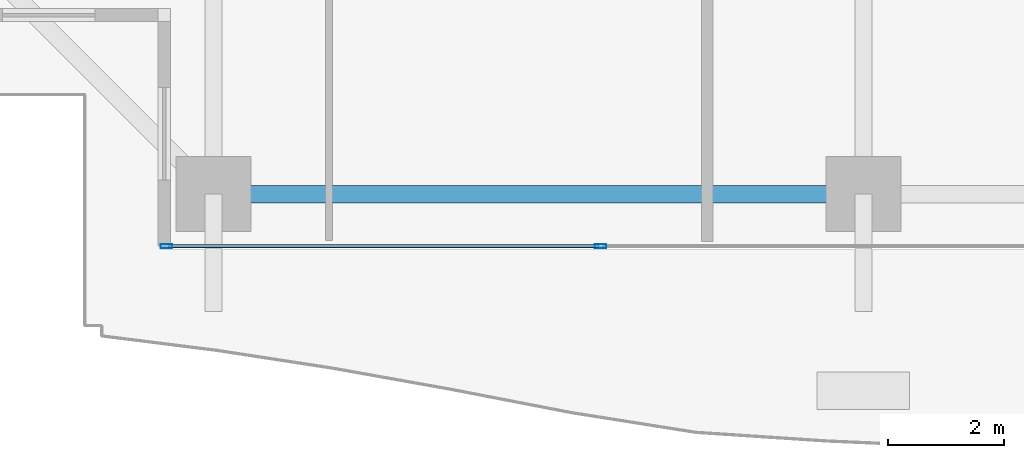
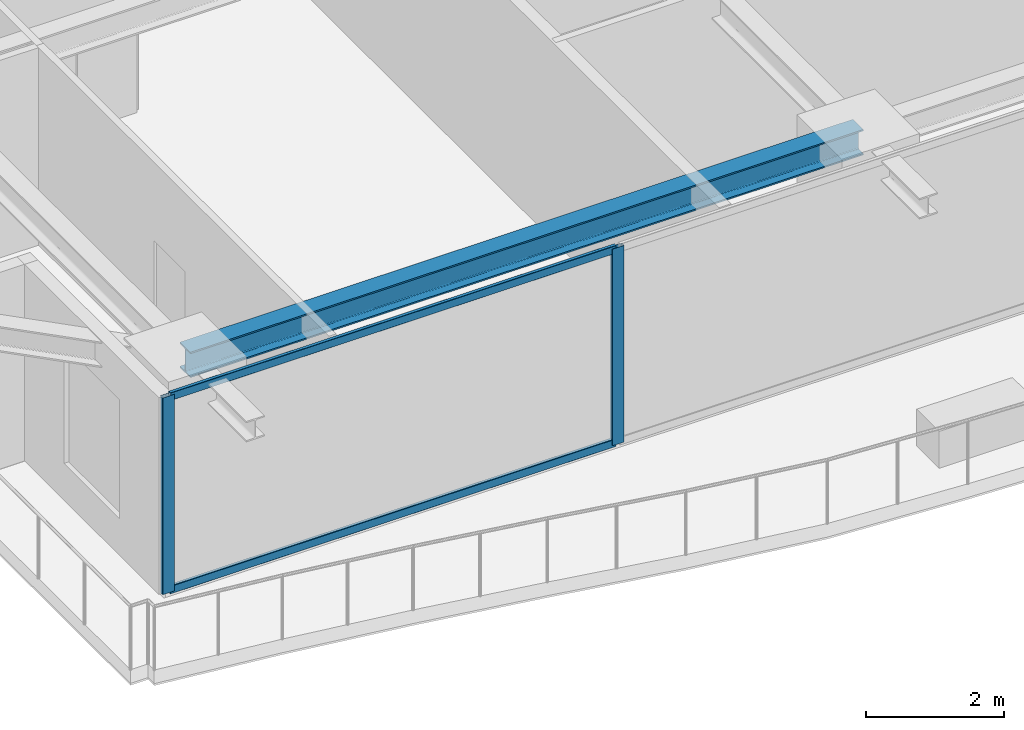
# One storey, part 2 of 37: 4 members, 1 beam, 1 element without a shape of its own.
"""IFC4 building model written with IfcOpenShell, lengths in metres."""

from ifc_helpers import new_model, si_unit, direction, frame, origin, origin_2d, place, context, subcontext, project, spatial, hollow_rectangle, i_section, extrude, source, transform, mapped, material, layer, layer_set, material_profile, profile_set, type_object, element, aggregate, save


model = new_model("IFC4")

# Units and contexts
model_context = context("Model", 3, precision=1e-05, world=origin(), true_north=direction((0.0, 1.0)))
body_context = subcontext(model_context, "Body", "Model", "MODEL_VIEW")
ifc_project = project(units=[si_unit("LENGTHUNIT", "METRE"), si_unit("AREAUNIT", "SQUARE_METRE"), si_unit("VOLUMEUNIT", "CUBIC_METRE"), si_unit("PLANEANGLEUNIT", "RADIAN"), si_unit("MASSUNIT", "GRAM", prefix="KILO")], contexts=[model_context])

# Site, building, storey
site_placement = place(None, origin())
site = spatial("IfcSite", under=ifc_project, at=site_placement, CompositionType="ELEMENT")
building_placement = place(site_placement, origin())
building = spatial("IfcBuilding", under=site, at=building_placement, Name="Serunith Strait Residences", CompositionType="ELEMENT")
storey_placement = place(building_placement, frame((0.0, 0.0, 161.39990234375)))
storey = spatial("IfcBuildingStorey", under=building, at=storey_placement, Name="L40", CompositionType="ELEMENT", Elevation=161.39990234375)

# Beam
ifc_material_1 = material(Name="Steel S355J2", Category="steel")
ifc_material_profile_1 = material_profile(ifc_material_1, i_section(OverallWidth=0.300048828125, OverallDepth=0.449951171875, WebThickness=0.013916015625, FlangeThickness=0.02587890625, FilletRadius=0.027099609375, at=origin_2d()), Name="HEB 450")
ifc_profile_set_1 = profile_set([ifc_material_profile_1], Name="Steel S355J2")
beam_type = type_object("IfcBeamType", Name="BM-HEB450", PredefinedType="BEAM", material=ifc_profile_set_1)
shared_shape_1 = source(origin(), body_context, "Body", "SweptSolid", [
    extrude(i_section(OverallWidth=0.300048828125, OverallDepth=0.449951171875, WebThickness=0.013916015625, FlangeThickness=0.02587890625, FilletRadius=0.027099609375, at=origin_2d()), origin(), (0.0, 0.0, 1.0), 11.25),
])
beam_placement = place(storey_placement, frame((16.64990234375, 2.300048828125, 3.26220703125), z_axis=(1.0, 0.0, 0.0), x_axis=(0.0, 1.0, 0.0)))
element("IfcBeam", 1, at=beam_placement, inside=storey, type_object=beam_type, Name="L40 Perimeter Ring Beam 01", PredefinedType="BEAM", context=body_context, shape_type="MappedRepresentation", body=[
    mapped(shared_shape_1, transform((0.0, 0.0, 0.0), scale=1.0)),
])

# Curtain wall, members
ifc_material_2 = material(Name="Pale-Champagne Anodised Aluminium", Category="aluminium")
ifc_layer = layer(ifc_material_2, 0.199951171875, Name="Pale-Champagne Anodised Aluminium")
ifc_layer_set = layer_set([ifc_layer], Name="Pale-Champagne Anodised Aluminium")
curtain_wall_type = type_object("IfcCurtainWallType", Name="CW-SYS2", PredefinedType="NOTDEFINED", material=ifc_layer_set)
curtain_wall_placement = place(storey_placement, origin())
curtain_wall = element("IfcCurtainWall", 2, at=curtain_wall_placement, inside=storey, type_object=curtain_wall_type, Name="L40 S Unitised Fritted Curtain Wall", PredefinedType="NOTDEFINED")
ifc_material_profile_2 = material_profile(ifc_material_2, hollow_rectangle(XDim=0.070068359375, YDim=0.199951171875, WallThickness=0.00390625, InnerFilletRadius=0.006103515625, OuterFilletRadius=0.010009765625, at=origin_2d()), Name="ALU 200x70x4")
ifc_profile_set_2 = profile_set([ifc_material_profile_2], Name="Pale-Champagne Anodised Aluminium")
member_type_1 = type_object("IfcMemberType", Name="CW-SYS2-MULL", PredefinedType="MULLION", material=ifc_profile_set_2)
shared_shape_2 = source(origin(), body_context, "Body", "SweptSolid", [
    extrude(hollow_rectangle(XDim=0.070068359375, YDim=0.199951171875, WallThickness=0.00390625, InnerFilletRadius=0.006103515625, OuterFilletRadius=0.010009765625, at=origin_2d()), origin(), (0.0, 0.0, 1.0), 3.47509765625),
])
member_1_placement = place(storey_placement, frame((15.8349609375, 1.39990234375, 0.0), z_axis=(0.0, 0.0, 1.0), x_axis=(0.0, 1.0, 0.0)))
member_1 = element("IfcMember", 3, at=member_1_placement, type_object=member_type_1, Name="CW-2 mullion 1", PredefinedType="MULLION", context=body_context, shape_type="MappedRepresentation", body=[
    mapped(shared_shape_2, transform((0.0, 0.0, 0.0), scale=1.0)),
])
member_2_placement = place(storey_placement, frame((23.35009765625, 1.39990234375, 0.0), z_axis=(0.0, 0.0, 1.0), x_axis=(0.0, 1.0, 0.0)))
member_2 = element("IfcMember", 4, at=member_2_placement, type_object=member_type_1, Name="CW-2 mullion 2", PredefinedType="MULLION", context=body_context, shape_type="MappedRepresentation", body=[
    mapped(shared_shape_2, transform((0.0, 0.0, 0.0), scale=1.0)),
])
ifc_material_profile_3 = material_profile(ifc_material_2, hollow_rectangle(XDim=0.06005859375, YDim=0.139892578125, WallThickness=0.00341796875, InnerFilletRadius=0.00537109375, OuterFilletRadius=0.0087890625, at=origin_2d()), Name="ALU 140x60x3.5")
ifc_profile_set_3 = profile_set([ifc_material_profile_3], Name="Pale-Champagne Anodised Aluminium")
member_type_2 = type_object("IfcMemberType", Name="CW-SYS2-TRAN", PredefinedType="USERDEFINED", material=ifc_profile_set_3)
shared_shape_3 = source(origin(), body_context, "Body", "SweptSolid", [
    extrude(hollow_rectangle(XDim=0.06005859375, YDim=0.139892578125, WallThickness=0.00341796875, InnerFilletRadius=0.00537109375, OuterFilletRadius=0.0087890625, at=origin_2d()), origin(), (0.0, 0.0, 1.0), 7.44482421875),
])
member_3_placement = place(storey_placement, frame((15.8701171875, 1.39990234375, 0.030029296875), z_axis=(1.0, 0.0, 0.0), x_axis=(0.0, 1.0, 0.0)))
member_3 = element("IfcMember", 5, at=member_3_placement, type_object=member_type_2, Name="CW-2 transom 1.1", ObjectType="TRANSOM", PredefinedType="USERDEFINED", context=body_context, shape_type="MappedRepresentation", body=[
    mapped(shared_shape_3, transform((0.0, 0.0, 0.0), scale=1.0)),
])
member_4_placement = place(storey_placement, frame((15.8701171875, 1.39990234375, 3.445068359375), z_axis=(1.0, 0.0, 0.0), x_axis=(0.0, 1.0, 0.0)))
member_4 = element("IfcMember", 6, at=member_4_placement, type_object=member_type_2, Name="CW-2 transom 1.2", ObjectType="TRANSOM", PredefinedType="USERDEFINED", context=body_context, shape_type="MappedRepresentation", body=[
    mapped(shared_shape_3, transform((0.0, 0.0, 0.0), scale=1.0)),
])
aggregate(curtain_wall, [member_1, member_2, member_3, member_4])

save(model, "model.ifc")
